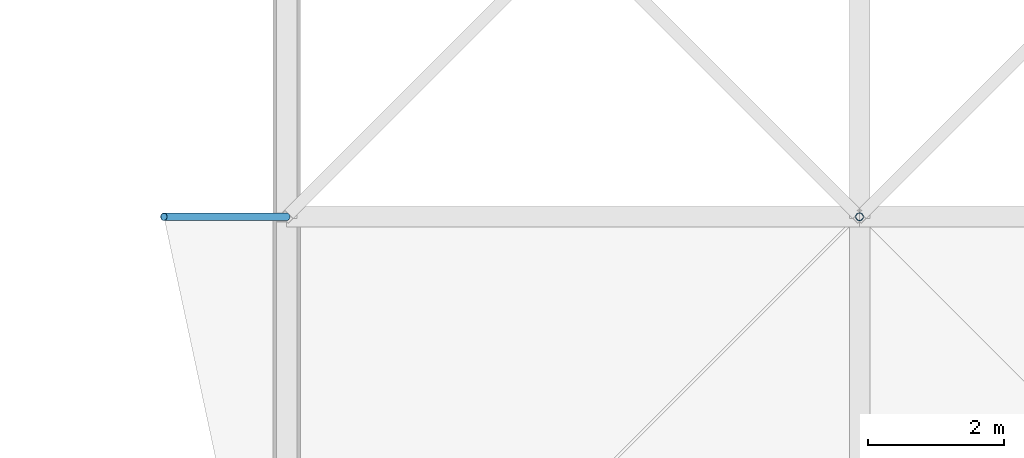
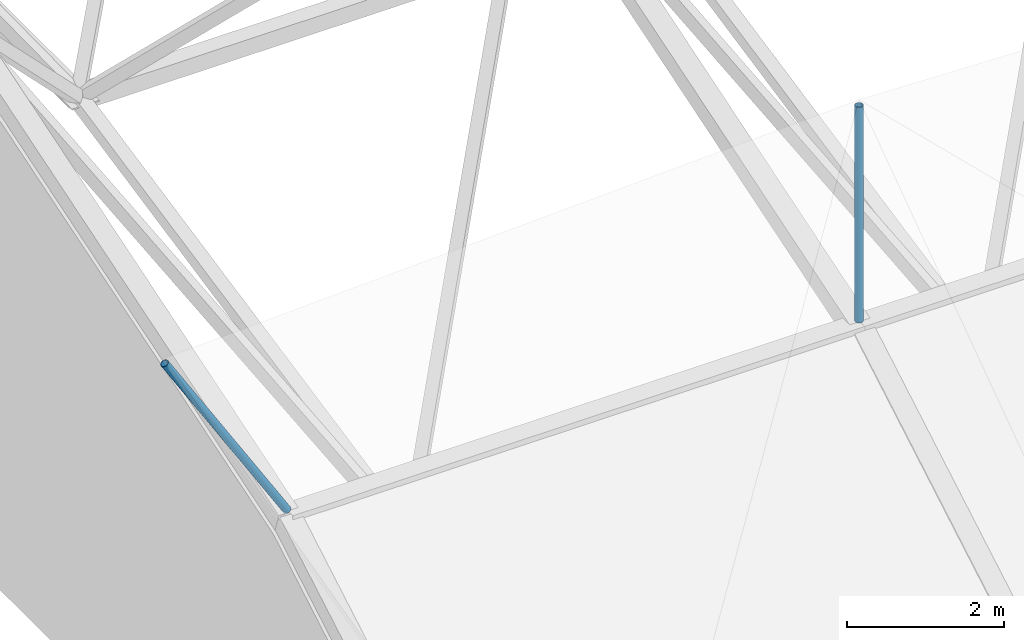
# One storey, part 75 of 111: 2 discrete accessories.
"""IFC4 building model written with IfcOpenShell, lengths in metres."""

from ifc_helpers import new_model, si_unit, direction, frame, origin, origin_2d, place, context, subcontext, project, spatial, hollow_circle, extrude, material, material_profile, profile_set, type_object, element, save


model = new_model("IFC4")

# Units and contexts
model_context = context("Model", 3, precision=1e-05, world=origin(), true_north=direction((0.0, 1.0)))
body_context = subcontext(model_context, "Body", "Model", "MODEL_VIEW")
ifc_project = project(units=[si_unit("LENGTHUNIT", "METRE"), si_unit("AREAUNIT", "SQUARE_METRE"), si_unit("VOLUMEUNIT", "CUBIC_METRE"), si_unit("PLANEANGLEUNIT", "RADIAN"), si_unit("MASSUNIT", "GRAM", prefix="KILO")], contexts=[model_context])

# Site, building, storey
site_placement = place(None, origin())
site = spatial("IfcSite", under=ifc_project, at=site_placement, CompositionType="ELEMENT")
building_placement = place(site_placement, origin())
building = spatial("IfcBuilding", under=site, at=building_placement, Name="Rain Tree Exposition and Congress Centre", CompositionType="ELEMENT")
storey_placement = place(building_placement, frame((0.0, 0.0, 19.5)))
storey = spatial("IfcBuildingStorey", under=building, at=storey_placement, Name="RF", CompositionType="ELEMENT", Elevation=19.5)

# Discrete accessories
ifc_material = material(Name="Steel S355J2H", Category="steel")
ifc_material_profile = material_profile(ifc_material, hollow_circle(Radius=0.05712890625, WallThickness=0.00439453125, at=origin_2d()), Name="CHS 114x4.5")
ifc_profile_set = profile_set([ifc_material_profile], Name="Steel S355J2H")
discrete_accessory_type = type_object("IfcDiscreteAccessoryType", Name="Roof skin post CHS 114x4.5", PredefinedType="BRACKET", material=ifc_profile_set)
discrete_accessory_1_placement = place(storey_placement, frame((142.800048828125, 159.60009765625, 5.39404296875), z_axis=(-0.526266150499, 0.0, 0.850319903824), x_axis=(0.0, -1.0, 0.0)))
element("IfcDiscreteAccessory", 1, at=discrete_accessory_1_placement, inside=storey, type_object=discrete_accessory_type, Name="Roof skin post B92", PredefinedType="BRACKET", context=body_context, shape_type="SweptSolid", body=[
    extrude(hollow_circle(Radius=0.05712890625, WallThickness=0.00439453125, at=origin_2d()), origin(), (0.0, 0.0, 1.0), 3.42041015625),
])
discrete_accessory_2_placement = place(storey_placement, frame((151.199951171875, 159.60009765625, 5.39404296875), z_axis=(0.0, 0.0, 1.0), x_axis=(1.0, 0.0, 0.0)))
element("IfcDiscreteAccessory", 2, at=discrete_accessory_2_placement, inside=storey, type_object=discrete_accessory_type, Name="Roof skin post B93", PredefinedType="BRACKET", context=body_context, shape_type="SweptSolid", body=[
    extrude(hollow_circle(Radius=0.05712890625, WallThickness=0.00439453125, at=origin_2d()), origin(), (0.0, 0.0, 1.0), 3.35009765625),
])

save(model, "model.ifc")
